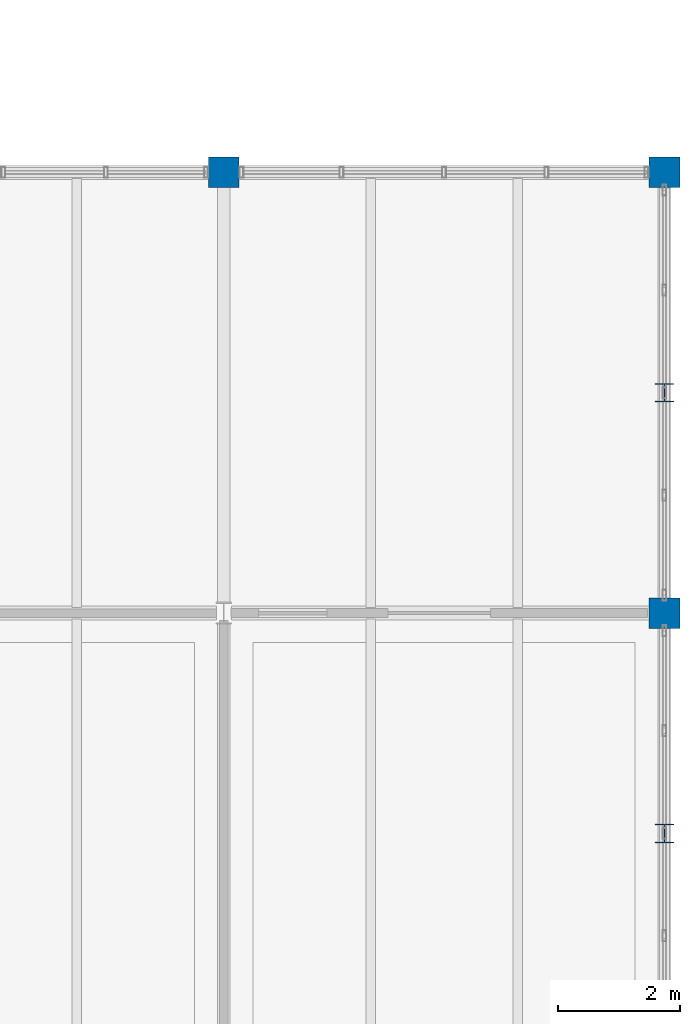
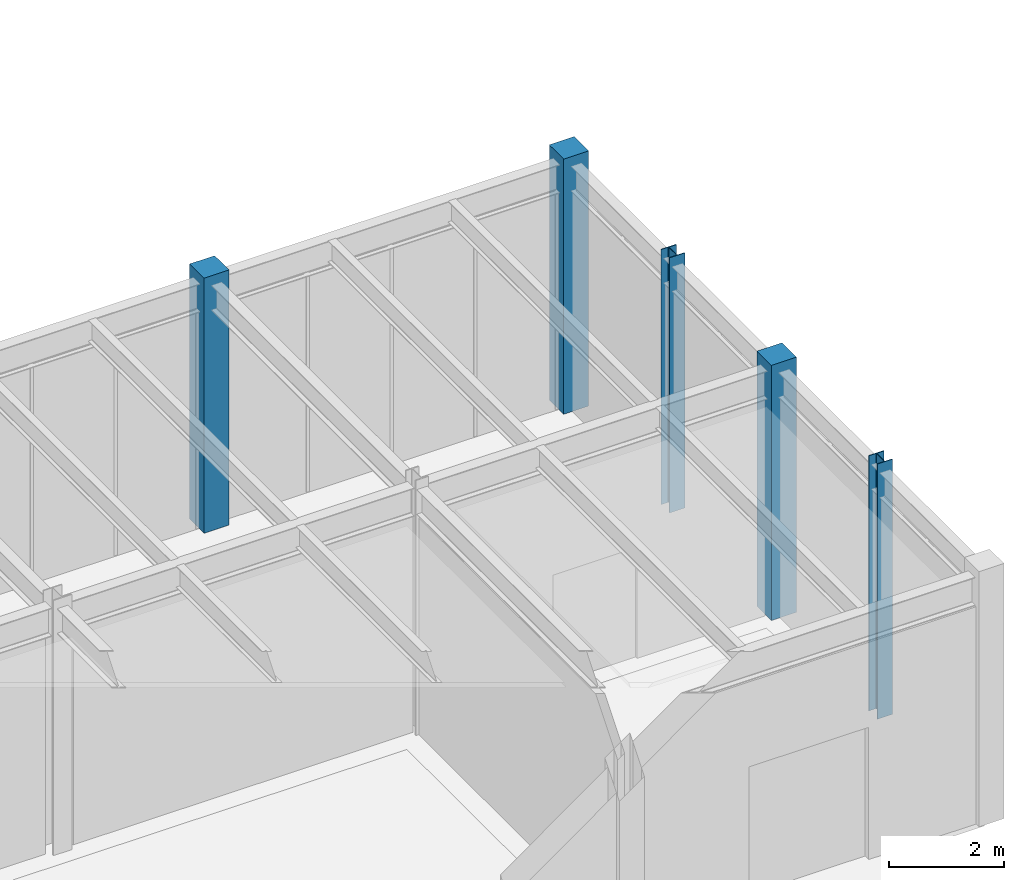
# One storey, part 16 of 97: 5 columns.
"""IFC4 building model written with IfcOpenShell, lengths in metres."""

import ifcopenshell
import ifcopenshell.guid

model = None  # the IFC model being written
_history = None  # IfcOwnerHistory: only IFC2X3 demands one
_inside = {}  # id of a spatial element -> (the spatial element, [elements in it])
_under = {}  # id of a project, library or spatial element -> (it, [spatial elements below it])
_declared = {}  # id of a project -> (the project, [libraries it declares])
_typed = {}  # id of a type object -> (the type object, [elements of that type])
_made_of = {}  # id of a material, layer set ... -> (it, [elements and type objects made of it])


def new_model(schema):
    """Start an empty IFC model of exactly this schema.

    Asked for "IFC4X3", IfcOpenShell would pick the latest addendum, in which some entities
    have other attributes; the version numbers below select the first issue.
    IFC2X3 requires an IfcOwnerHistory on every rooted entity: one is made here for all.
    """
    global model, _history
    if schema == "IFC4X3":
        model = ifcopenshell.file(schema_version=(4, 3, 0, 0))
    else:
        model = ifcopenshell.file(schema=schema)
    _inside.clear()
    _under.clear()
    _declared.clear()
    _typed.clear()
    _made_of.clear()
    _history = None
    if model.schema == "IFC2X3":
        org = make("IfcOrganization", Name="unknown")
        user = make(
            "IfcPersonAndOrganization",
            ThePerson=make("IfcPerson", FamilyName="unknown"),
            TheOrganization=org,
        )
        app = make(
            "IfcApplication",
            ApplicationDeveloper=org,
            Version="unknown",
            ApplicationFullName="unknown",
            ApplicationIdentifier="unknown",
        )
        _history = make(
            "IfcOwnerHistory",
            OwningUser=user,
            OwningApplication=app,
            ChangeAction="ADDED",
            CreationDate=0,
        )
    return model


def make(cls, **values):
    """One entity of the class cls with the attributes given. An attribute that is None is left unset."""
    return model.create_entity(
        cls, **{name: value for name, value in values.items() if value is not None}
    )


def rooted(cls, **values):
    """An entity with a GlobalId (a new one), such as an element, a storey or a relation."""
    return make(cls, GlobalId=ifcopenshell.guid.new(), OwnerHistory=_history, **values)


def si_unit(unit_type, name, prefix=None):
    """IfcSIUnit, for example si_unit("LENGTHUNIT", "METRE", prefix="MILLI")."""
    return make("IfcSIUnit", UnitType=unit_type, Prefix=prefix, Name=name)


def assignment(units):
    """IfcUnitAssignment: the units of a project."""
    return None if units is None else make("IfcUnitAssignment", Units=units)


def point(xyz):
    """IfcCartesianPoint."""
    return None if xyz is None else make("IfcCartesianPoint", Coordinates=xyz)


def direction(xyz):
    """IfcDirection."""
    return None if xyz is None else make("IfcDirection", DirectionRatios=xyz)


def frame(location, z_axis=None, x_axis=None):
    """IfcAxis2Placement3D, a coordinate frame: its origin and axes. An axis left out is left unset."""
    return make(
        "IfcAxis2Placement3D",
        Location=point(location),
        Axis=direction(z_axis),
        RefDirection=direction(x_axis),
    )


def frame_2d(location, x_axis=None):
    """IfcAxis2Placement2D, a coordinate frame in the plane: its origin and x axis."""
    return make(
        "IfcAxis2Placement2D", Location=point(location), RefDirection=direction(x_axis)
    )


def origin():
    """The frame at (0, 0, 0) with its axes left unset."""
    return frame((0.0, 0.0, 0.0))


def origin_2d():
    """The frame at (0, 0) in the plane with its x axis left unset."""
    return frame_2d((0.0, 0.0))


def place(relative_to, where):
    """IfcLocalPlacement: puts the frame where relative to a parent placement (None: the world)."""
    return make(
        "IfcLocalPlacement", PlacementRelTo=relative_to, RelativePlacement=where
    )


def context(
    kind, dimensions, precision=None, world=None, true_north=None, identifier=None
):
    """IfcGeometricRepresentationContext, for example the 3D "Model" context."""
    return make(
        "IfcGeometricRepresentationContext",
        ContextIdentifier=identifier,
        ContextType=kind,
        CoordinateSpaceDimension=dimensions,
        Precision=precision,
        WorldCoordinateSystem=world,
        TrueNorth=true_north,
    )


def subcontext(parent, identifier, kind, view, scale=None):
    """IfcGeometricRepresentationSubContext, for example "Body" below "Model"."""
    return make(
        "IfcGeometricRepresentationSubContext",
        ContextIdentifier=identifier,
        ContextType=kind,
        ParentContext=parent,
        TargetScale=scale,
        TargetView=view,
    )


def project(units=None, contexts=None):
    """IfcProject with its units and contexts."""
    return rooted(
        "IfcProject",
        Name="project",
        RepresentationContexts=contexts,
        UnitsInContext=assignment(units),
    )


def spatial(cls, under=None, at=None, **own):
    """A site, building, storey or space (cls), placed at a placement, below another one or the project."""
    s = rooted(cls, ObjectPlacement=at, **own)
    if under is not None:
        _under.setdefault(under.id(), (under, []))[1].append(s)
    return s


def profile(cls, at=None, kind="AREA", **sizes):
    """A parametric profile (cls). Its sizes go by their IFC names, for example OverallWidth=200.0."""
    return make(cls, ProfileType=kind, Position=at, **sizes)


def rectangle(**sizes):
    """IfcRectangleProfileDef."""
    return profile("IfcRectangleProfileDef", **sizes)


def i_section(**sizes):
    """IfcIShapeProfileDef."""
    return profile("IfcIShapeProfileDef", **sizes)


def extrude(swept, where, along, depth):
    """IfcExtrudedAreaSolid: the profile swept, set in the frame where, extruded along a direction by depth."""
    return make(
        "IfcExtrudedAreaSolid",
        SweptArea=swept,
        Position=where,
        ExtrudedDirection=direction(along),
        Depth=depth,
    )


def shape(context_of_items, identifier, shape_type, items):
    """IfcShapeRepresentation: the items that make up one representation, for example the "Body"."""
    return make(
        "IfcShapeRepresentation",
        ContextOfItems=context_of_items,
        RepresentationIdentifier=identifier,
        RepresentationType=shape_type,
        Items=items,
    )


def material(Name=None, Category=None):
    """IfcMaterial."""
    return make("IfcMaterial", Name=Name, Category=Category)


def material_profile(
    of_material, cross_section, Name=None, Category=None, Priority=None
):
    """IfcMaterialProfile: a cross section and its material."""
    return make(
        "IfcMaterialProfile",
        Name=Name,
        Material=of_material,
        Profile=cross_section,
        Priority=Priority,
        Category=Category,
    )


def profile_set(profiles, Name=None, composite=None):
    """IfcMaterialProfileSet."""
    return make(
        "IfcMaterialProfileSet",
        Name=Name,
        MaterialProfiles=profiles,
        CompositeProfile=composite,
    )


def made_of(thing, what):
    """Note that an element or type object is made of a material, layer set ...; save() writes the relation."""
    if what is not None:
        _made_of.setdefault(what.id(), (what, []))[1].append(thing)
    return thing


def type_object(cls, material=None, **own):
    """A type object (cls), such as IfcWallType, which elements share."""
    return made_of(rooted(cls, **own), material)


def element(
    cls,
    number,
    at=None,
    inside=None,
    cuts=None,
    type_object=None,
    material=None,
    context=None,
    identifier="Body",
    shape_type=None,
    held_by="IfcProductDefinitionShape",
    body=None,
    shapes=None,
    **own,
):
    """One element of the class cls, such as IfcWall. Its Tag is "e" and its number.

    at: its placement. inside: the storey or other place that contains it. cuts: it is an
    opening in that element (IfcRelVoidsElement). A single representation is given by context,
    identifier, shape_type and body (its items); several are given by shapes. held_by: the class
    of the entity that holds the representations. save() writes the other relations.
    """
    e = rooted(cls, Tag="e%d" % number, ObjectPlacement=at, **own)
    if body is not None:
        shapes = [shape(context, identifier, shape_type, body)]
    if shapes is not None:
        e.Representation = make(held_by, Representations=shapes)
    if inside is not None:
        _inside.setdefault(inside.id(), (inside, []))[1].append(e)
    if cuts is not None:
        rooted(
            "IfcRelVoidsElement", RelatingBuildingElement=cuts, RelatedOpeningElement=e
        )
    if type_object is not None:
        _typed.setdefault(type_object.id(), (type_object, []))[1].append(e)
    return made_of(e, material)


def aggregate(whole, parts):
    """IfcRelAggregates: a whole, such as a stair, and the parts it consists of."""
    return rooted("IfcRelAggregates", RelatingObject=whole, RelatedObjects=parts)


def save(model, path):
    """Write the relations noted so far, then the file.

    IfcRelAggregates (storeys below a building ...), IfcRelContainedInSpatialStructure (elements
    in a storey), IfcRelDefinesByType, IfcRelAssociatesMaterial and IfcRelDeclares: one each for
    every whole, place, type object, material and project.
    """
    for whole, parts in _under.values():
        aggregate(whole, parts)
    for where, things in _inside.values():
        rooted(
            "IfcRelContainedInSpatialStructure",
            RelatedElements=things,
            RelatingStructure=where,
        )
    for kind, things in _typed.values():
        rooted("IfcRelDefinesByType", RelatedObjects=things, RelatingType=kind)
    for what, things in _made_of.values():
        rooted("IfcRelAssociatesMaterial", RelatedObjects=things, RelatingMaterial=what)
    for by, libraries in _declared.values():
        rooted("IfcRelDeclares", RelatingContext=by, RelatedDefinitions=libraries)
    model.write(path)


model = new_model("IFC4")

# Units and contexts
model_context = context("Model", 3, precision=1e-05, world=origin(), true_north=direction((0.0, 1.0)))
body_context = subcontext(model_context, "Body", "Model", "MODEL_VIEW")
ifc_project = project(units=[si_unit("LENGTHUNIT", "METRE"), si_unit("AREAUNIT", "SQUARE_METRE"), si_unit("VOLUMEUNIT", "CUBIC_METRE"), si_unit("PLANEANGLEUNIT", "RADIAN"), si_unit("MASSUNIT", "GRAM", prefix="KILO")], contexts=[model_context])

# Site, building, storey
site_placement = place(None, origin())
site = spatial("IfcSite", under=ifc_project, at=site_placement, CompositionType="ELEMENT")
building_placement = place(site_placement, origin())
building = spatial("IfcBuilding", under=site, at=building_placement, Name="Sillqori Civic Hall", CompositionType="ELEMENT")
storey_placement = place(building_placement, origin())
storey = spatial("IfcBuildingStorey", under=building, at=storey_placement, Name="L01", CompositionType="ELEMENT", Elevation=0.0)

# Columns
ifc_material_1 = material(Name="Concrete C35/45 (H35)", Category="concrete")
ifc_material_profile_1 = material_profile(ifc_material_1, rectangle(XDim=0.5, YDim=0.5, at=origin_2d()), Name="RC 500x500")
ifc_profile_set_1 = profile_set([ifc_material_profile_1], Name="Concrete C35/45 (H35)")
column_type_1 = type_object("IfcColumnType", Name="COL-RC500", PredefinedType="COLUMN", material=ifc_profile_set_1)
for number, where, z_axis, x_axis, name in (
    (1, (165.60009765625, 28.800048828125, 0.0), (0.0, 0.0, 1.0), (1.0, 0.0, 0.0), "L01 column 23-4"),
    (2, (172.800048828125, 21.60009765625, 0.0), (0.0, 0.0, 1.0), (1.0, 0.0, 0.0), "L01 column 24-3"),
    (3, (172.800048828125, 28.800048828125, 0.0), (0.0, 0.0, 1.0), (1.0, 0.0, 0.0), "L01 column 24-4"),
):
    element("IfcColumn", number, at=place(storey_placement, frame(where, z_axis=z_axis, x_axis=x_axis)), inside=storey, type_object=column_type_1, Name=name, PredefinedType="COLUMN", context=body_context, shape_type="SweptSolid", body=[
        extrude(rectangle(XDim=0.5, YDim=0.5, at=origin_2d()), origin(), (0.0, 0.0, 1.0), 5.39990234375),
    ])
ifc_material_2 = material(Name="Steel ASTM A992", Category="steel")
ifc_material_profile_2 = material_profile(ifc_material_2, i_section(OverallWidth=0.304931640625, OverallDepth=0.306884765625, WebThickness=0.010009765625, FlangeThickness=0.015380859375, FilletRadius=0.014892578125, at=origin_2d()), Name="W12X65")
ifc_profile_set_2 = profile_set([ifc_material_profile_2], Name="Steel ASTM A992")
column_type_2 = type_object("IfcColumnType", Name="PIL-W12X65", PredefinedType="PILASTER", material=ifc_profile_set_2)
for number, where, z_axis, x_axis, name in (
    (4, (172.800048828125, 18.0, 0.0), (0.0, 0.0, 1.0), (1.0, 0.0, 0.0), "L01 facade pilaster 06"),
    (5, (172.800048828125, 25.199951171875, 0.0), (0.0, 0.0, 1.0), (1.0, 0.0, 0.0), "L01 facade pilaster 07"),
):
    element("IfcColumn", number, at=place(storey_placement, frame(where, z_axis=z_axis, x_axis=x_axis)), inside=storey, type_object=column_type_2, Name=name, PredefinedType="PILASTER", context=body_context, shape_type="SweptSolid", body=[
        extrude(i_section(OverallWidth=0.304931640625, OverallDepth=0.306884765625, WebThickness=0.010009765625, FlangeThickness=0.015380859375, FilletRadius=0.014892578125, at=origin_2d()), origin(), (0.0, 0.0, 1.0), 5.39990234375),
    ])

save(model, "model.ifc")
